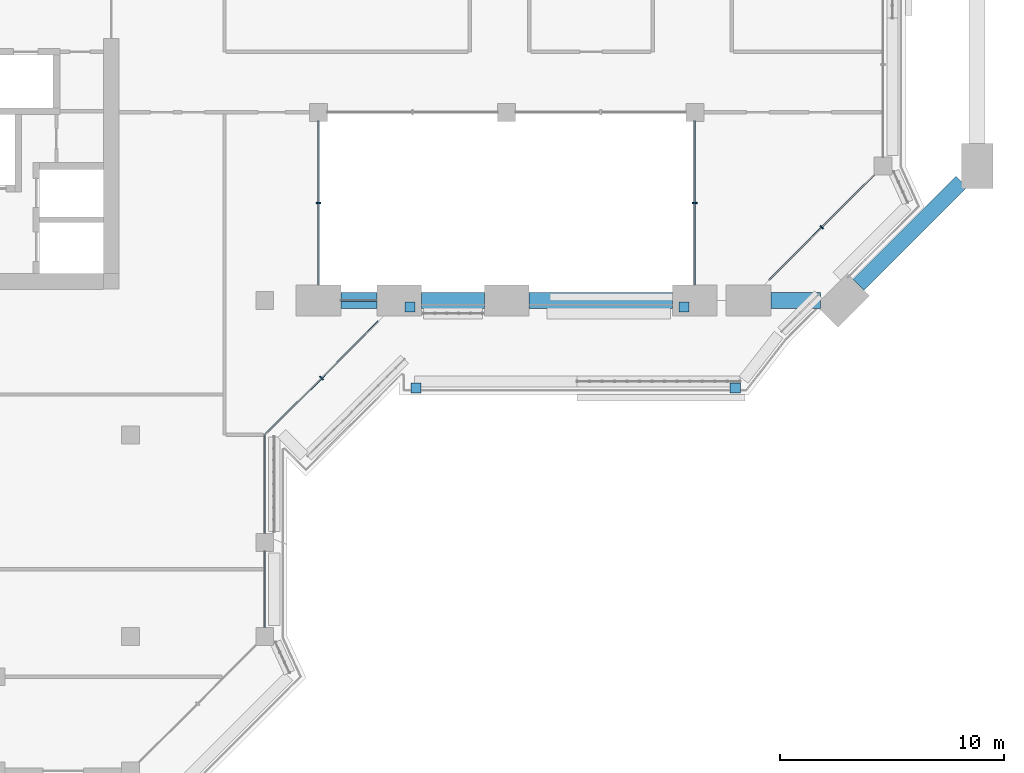
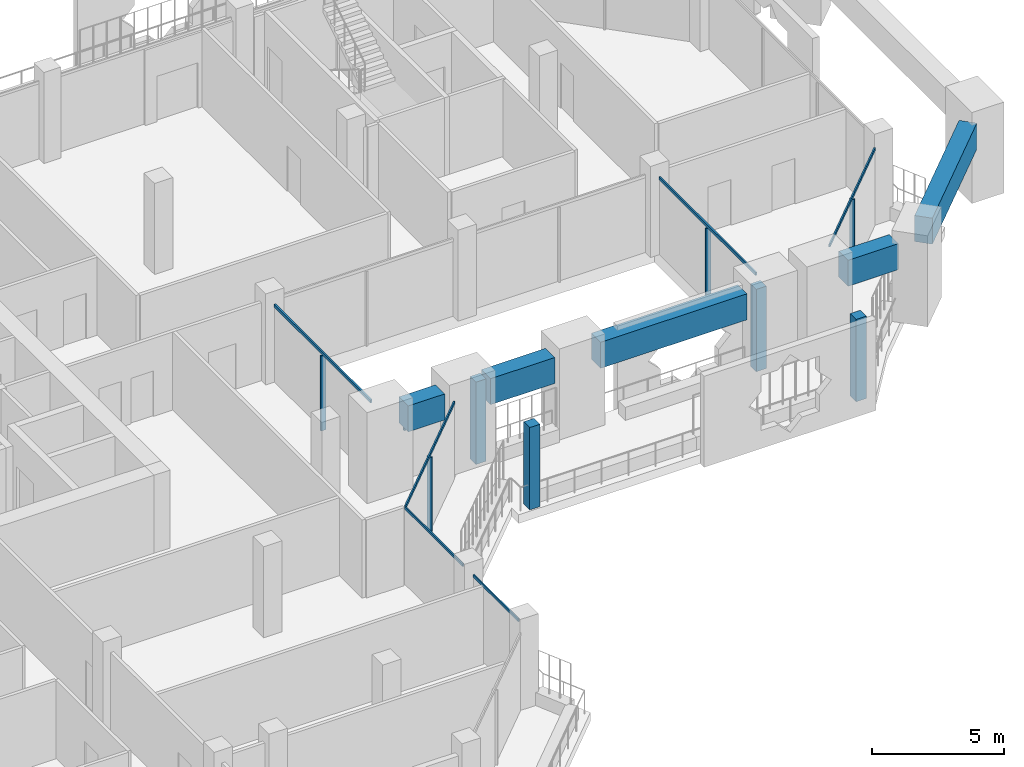
# One storey, part 4 of 22: 15 members, 5 beams, 7 elements without a shape of their own.
"""IFC4 building model written with IfcOpenShell, lengths in metres."""

from ifc_helpers import new_model, si_unit, direction, frame, origin, origin_2d, place, context, subcontext, project, spatial, rectangle, extrude, material, layer, layer_set, material_profile, profile_set, type_object, element, aggregate, save


model = new_model("IFC4")

# Units and contexts
model_context = context("Model", 3, precision=1e-05, world=origin(), true_north=direction((0.0, 1.0)))
body_context = subcontext(model_context, "Body", "Model", "MODEL_VIEW")
ifc_project = project(units=[si_unit("LENGTHUNIT", "METRE"), si_unit("AREAUNIT", "SQUARE_METRE"), si_unit("VOLUMEUNIT", "CUBIC_METRE"), si_unit("PLANEANGLEUNIT", "RADIAN"), si_unit("MASSUNIT", "GRAM", prefix="KILO")], contexts=[model_context])

# Site, building, storey
site_placement = place(None, origin())
site = spatial("IfcSite", under=ifc_project, at=site_placement, CompositionType="ELEMENT")
building_placement = place(site_placement, origin())
building = spatial("IfcBuilding", under=site, at=building_placement, Name="Kawkab Arch Medical Tower", CompositionType="ELEMENT")
storey_placement = place(building_placement, frame((0.0, 0.0, 286.0)))
storey = spatial("IfcBuildingStorey", under=building, at=storey_placement, Name="L66", CompositionType="ELEMENT", Elevation=286.0)

# Curtain wall, members
ifc_material_1 = material(Name="Bronze anodised aluminium curtain wall frame", Category="aluminium")
ifc_layer_1 = layer(ifc_material_1, 0.159912109375)
ifc_layer_set_1 = layer_set([ifc_layer_1], Name="Bronze anodised aluminium curtain wall frame")
curtain_wall_type_1 = type_object("IfcCurtainWallType", Name="CW1 ward curtain wall", PredefinedType="NOTDEFINED", material=ifc_layer_set_1)
placement = place(storey_placement, origin())
curtain_wall_1 = element("IfcCurtainWall", 1, at=placement, inside=storey, type_object=curtain_wall_type_1, Name="CW1 Ward curtain wall R16", PredefinedType="NOTDEFINED")
ifc_material_2 = material(Name="Bronze anodised aluminium curtain wall frame", Category="aluminium")
ifc_material_profile_1 = material_profile(ifc_material_2, rectangle(XDim=0.06005859375, YDim=0.1201171875, at=origin_2d()), Name="AL 60x120")
ifc_profile_set_1 = profile_set([ifc_material_profile_1], Name="Bronze anodised aluminium curtain wall frame")
member_type_1 = type_object("IfcMemberType", Name="CW1 transom 120 x 60", PredefinedType="USERDEFINED", material=ifc_profile_set_1)
member_1_placement = place(storey_placement, frame((31.199951171875, -39.800048828125, 3.5400390625), z_axis=(0.0, 1.0, 0.0), x_axis=(-1.0, 0.0, 0.0)))
member_1 = element("IfcMember", 2, at=member_1_placement, type_object=member_type_1, Name="CW1 transom 1", ObjectType="TRANSOM", PredefinedType="USERDEFINED", context=body_context, shape_type="SweptSolid", body=[
    extrude(rectangle(XDim=0.06005859375, YDim=0.1201171875, at=origin_2d()), origin(), (0.0, 0.0, 1.0), 3.400146484375),
])
member_2_placement = place(storey_placement, frame((31.199951171875, -35.60009765625, 3.5400390625), z_axis=(0.0, 1.0, 0.0), x_axis=(-1.0, 0.0, 0.0)))
member_2 = element("IfcMember", 3, at=member_2_placement, type_object=member_type_1, Name="CW1 transom 2", ObjectType="TRANSOM", PredefinedType="USERDEFINED", context=body_context, shape_type="SweptSolid", body=[
    extrude(rectangle(XDim=0.06005859375, YDim=0.1201171875, at=origin_2d()), origin(), (0.0, 0.0, 1.0), 4.400146484375),
])
aggregate(curtain_wall_1, [member_1, member_2])

# Curtain wall, member
ifc_material_3 = material(Name="Bronze anodised aluminium curtain wall frame", Category="aluminium")
ifc_layer_2 = layer(ifc_material_3, 0.159912109375)
ifc_layer_set_2 = layer_set([ifc_layer_2], Name="Bronze anodised aluminium curtain wall frame")
curtain_wall_type_2 = type_object("IfcCurtainWallType", Name="CW2 chamfer curtain wall", PredefinedType="NOTDEFINED", material=ifc_layer_set_2)
curtain_wall_2 = element("IfcCurtainWall", 4, at=placement, inside=storey, type_object=curtain_wall_type_2, Name="CW2 Chamfer curtain wall R01", PredefinedType="NOTDEFINED")
ifc_material_4 = material(Name="Bronze anodised aluminium curtain wall frame", Category="aluminium")
ifc_material_profile_2 = material_profile(ifc_material_4, rectangle(XDim=0.199951171875, YDim=0.06005859375, at=origin_2d()), Name="AL 60x200")
ifc_profile_set_2 = profile_set([ifc_material_profile_2], Name="Bronze anodised aluminium curtain wall frame")
member_type_2 = type_object("IfcMemberType", Name="CW2 mullion 60 x 200", PredefinedType="MULLION", material=ifc_profile_set_2)
member_3_placement = place(storey_placement, frame((33.73486328125, -28.665283203125, 0.0), z_axis=(0.0, 0.0, 1.0), x_axis=(-0.707106781187, 0.707106781187, 0.0)))
member_3 = element("IfcMember", 5, at=member_3_placement, type_object=member_type_2, Name="CW2 mullion 1.1", PredefinedType="MULLION", context=body_context, shape_type="SweptSolid", body=[
    extrude(rectangle(XDim=0.199951171875, YDim=0.06005859375, at=origin_2d()), origin(), (0.0, 0.0, 1.0), 3.4599609375),
])

curtain_wall_3 = element("IfcCurtainWall", 6, at=placement, inside=storey, type_object=curtain_wall_type_2, Name="CW2 Chamfer curtain wall R07", PredefinedType="NOTDEFINED")
member_4_placement = place(storey_placement, frame((56.065185546875, -21.934814453125, 0.0), z_axis=(0.0, 0.0, 1.0), x_axis=(-0.707106781187, 0.707106781187, 0.0)))
member_4 = element("IfcMember", 7, at=member_4_placement, type_object=member_type_2, Name="CW2 mullion 1.1", PredefinedType="MULLION", context=body_context, shape_type="SweptSolid", body=[
    extrude(rectangle(XDim=0.199951171875, YDim=0.06005859375, at=origin_2d()), origin(), (0.0, 0.0, 1.0), 3.4599609375),
])

# Member
ifc_material_5 = material(Name="Bronze anodised aluminium curtain wall frame", Category="aluminium")
ifc_material_profile_3 = material_profile(ifc_material_5, rectangle(XDim=0.06005859375, YDim=0.139892578125, at=origin_2d()), Name="AL 60x140")
ifc_profile_set_3 = profile_set([ifc_material_profile_3], Name="Bronze anodised aluminium curtain wall frame")
member_type_3 = type_object("IfcMemberType", Name="CW2 transom 140 x 60", PredefinedType="USERDEFINED", material=ifc_profile_set_3)
member_5_placement = place(storey_placement, frame((31.199951171875, -31.199951171875, 3.530029296875), z_axis=(0.707123806981, 0.707089754982, 0.0), x_axis=(-0.707089754982, 0.707123806981, 0.0)))
member_5 = element("IfcMember", 8, at=member_5_placement, type_object=member_type_3, Name="CW2 transom 1", ObjectType="TRANSOM", PredefinedType="USERDEFINED", context=body_context, shape_type="SweptSolid", body=[
    extrude(rectangle(XDim=0.06005859375, YDim=0.139892578125, at=origin_2d()), origin(), (0.0, 0.0, 1.0), 7.169677734375),
])

aggregate(curtain_wall_2, [member_5, member_3])

member_6_placement = place(storey_placement, frame((53.730224609375, -24.269775390625, 3.530029296875), z_axis=(0.707106781187, 0.707106781187, 0.0), x_axis=(-0.707106781187, 0.707106781187, 0.0)))
member_6 = element("IfcMember", 9, at=member_6_placement, type_object=member_type_3, Name="CW2 transom 1", ObjectType="TRANSOM", PredefinedType="USERDEFINED", context=body_context, shape_type="SweptSolid", body=[
    extrude(rectangle(XDim=0.06005859375, YDim=0.139892578125, at=origin_2d()), origin(), (0.0, 0.0, 1.0), 6.60400390625),
])

aggregate(curtain_wall_3, [member_6, member_4])

# Curtain wall, member
ifc_material_6 = material(Name="Bronze anodised aluminium curtain wall frame", Category="aluminium")
ifc_layer_3 = layer(ifc_material_6, 0.159912109375)
ifc_layer_set_3 = layer_set([ifc_layer_3], Name="Bronze anodised aluminium curtain wall frame")
curtain_wall_type_3 = type_object("IfcCurtainWallType", Name="CW3 sky garden curtain wall", PredefinedType="NOTDEFINED", material=ifc_layer_set_3)
curtain_wall_4 = element("IfcCurtainWall", 10, at=placement, inside=storey, type_object=curtain_wall_type_3, Name="CW3 Sky garden curtain wall R03", PredefinedType="NOTDEFINED")
ifc_material_7 = material(Name="Bronze anodised aluminium curtain wall frame", Category="aluminium")
ifc_material_profile_4 = material_profile(ifc_material_7, rectangle(XDim=0.219970703125, YDim=0.070068359375, at=origin_2d()), Name="AL 70x220")
ifc_profile_set_4 = profile_set([ifc_material_profile_4], Name="Bronze anodised aluminium curtain wall frame")
member_type_4 = type_object("IfcMemberType", Name="CW3 mullion 70 x 220", PredefinedType="MULLION", material=ifc_profile_set_4)
member_7_placement = place(storey_placement, frame((33.60009765625, -20.85009765625, 0.0), z_axis=(0.0, 0.0, 1.0), x_axis=(-1.0, 0.0, 0.0)))
member_7 = element("IfcMember", 11, at=member_7_placement, type_object=member_type_4, Name="CW3 mullion 1.1", PredefinedType="MULLION", context=body_context, shape_type="SweptSolid", body=[
    extrude(rectangle(XDim=0.219970703125, YDim=0.070068359375, at=origin_2d()), origin(), (0.0, 0.0, 1.0), 3.4599609375),
])

curtain_wall_5 = element("IfcCurtainWall", 12, at=placement, inside=storey, type_object=curtain_wall_type_3, Name="CW3 Sky garden curtain wall R05", PredefinedType="NOTDEFINED")
member_8_placement = place(storey_placement, frame((50.39990234375, -20.85009765625, 0.0), z_axis=(0.0, 0.0, 1.0), x_axis=(1.0, 0.0, 0.0)))
member_8 = element("IfcMember", 13, at=member_8_placement, type_object=member_type_4, Name="CW3 mullion 1.1", PredefinedType="MULLION", context=body_context, shape_type="SweptSolid", body=[
    extrude(rectangle(XDim=0.219970703125, YDim=0.070068359375, at=origin_2d()), origin(), (0.0, 0.0, 1.0), 3.4599609375),
])

curtain_wall_6 = element("IfcCurtainWall", 14, at=placement, inside=storey, type_object=curtain_wall_type_3, Name="CW3 Sky garden curtain wall R02", PredefinedType="NOTDEFINED")
ifc_material_8 = material(Name="Bronze anodised aluminium curtain wall frame", Category="aluminium")
ifc_material_profile_5 = material_profile(ifc_material_8, rectangle(XDim=0.070068359375, YDim=0.139892578125, at=origin_2d()), Name="AL 70x140")
ifc_profile_set_5 = profile_set([ifc_material_profile_5], Name="Bronze anodised aluminium curtain wall frame")
member_type_5 = type_object("IfcMemberType", Name="CW3 transom 140 x 70", PredefinedType="USERDEFINED", material=ifc_profile_set_5)
member_9_placement = place(storey_placement, frame((36.199951171875, -25.199951171875, 2.330078125), z_axis=(-1.0, 0.0, 0.0), x_axis=(0.0, -1.0, 0.0)))
member_9 = element("IfcMember", 15, at=member_9_placement, type_object=member_type_5, Name="CW3 transom 1", ObjectType="TRANSOM", PredefinedType="USERDEFINED", context=body_context, shape_type="SweptSolid", body=[
    extrude(rectangle(XDim=0.070068359375, YDim=0.139892578125, at=origin_2d()), origin(), (0.0, 0.0, 1.0), 1.599853515625),
])
aggregate(curtain_wall_6, [member_9])

# Member
member_10_placement = place(storey_placement, frame((33.60009765625, -24.5, 3.530029296875), z_axis=(0.0, 1.0, 0.0), x_axis=(-1.0, 0.0, 0.0)))
member_10 = element("IfcMember", 16, at=member_10_placement, type_object=member_type_5, Name="CW3 transom 1", ObjectType="TRANSOM", PredefinedType="USERDEFINED", context=body_context, shape_type="SweptSolid", body=[
    extrude(rectangle(XDim=0.070068359375, YDim=0.139892578125, at=origin_2d()), origin(), (0.0, 0.0, 1.0), 7.300048828125),
])

aggregate(curtain_wall_4, [member_10, member_7])

member_11_placement = place(storey_placement, frame((50.39990234375, -17.199951171875, 3.530029296875), z_axis=(0.0, -1.0, 0.0), x_axis=(1.0, 0.0, 0.0)))
member_11 = element("IfcMember", 17, at=member_11_placement, type_object=member_type_5, Name="CW3 transom 1", ObjectType="TRANSOM", PredefinedType="USERDEFINED", context=body_context, shape_type="SweptSolid", body=[
    extrude(rectangle(XDim=0.070068359375, YDim=0.139892578125, at=origin_2d()), origin(), (0.0, 0.0, 1.0), 7.300048828125),
])

aggregate(curtain_wall_5, [member_11, member_8])

# Curtain wall, members
ifc_material_9 = material(Name="Bronze anodised aluminium climber frame, planted", Category="aluminium")
ifc_layer_4 = layer(ifc_material_9, 0.449951171875)
ifc_layer_set_4 = layer_set([ifc_layer_4], Name="Bronze anodised aluminium climber frame, planted")
curtain_wall_type_4 = type_object("IfcCurtainWallType", Name="Planted climber frame", PredefinedType="NOTDEFINED", material=ifc_layer_set_4)
curtain_wall_7 = element("IfcCurtainWall", 18, at=placement, inside=storey, type_object=curtain_wall_type_4, Name="Planted climber frame L66", PredefinedType="NOTDEFINED")
ifc_material_10 = material(Name="Bronze anodised aluminium climber frame, planted", Category="aluminium")
ifc_material_profile_6 = material_profile(ifc_material_10, rectangle(XDim=0.449951171875, YDim=0.449951171875, at=origin_2d()), Name="Post 450x450")
ifc_profile_set_6 = profile_set([ifc_material_profile_6], Name="Bronze anodised aluminium climber frame, planted")
member_type_6 = type_object("IfcMemberType", Name="Planted climber post 450 x 450", PredefinedType="MULLION", material=ifc_profile_set_6)
member_12_placement = place(storey_placement, frame((37.679931640625, -25.5, 0.0), z_axis=(0.0, 0.0, 1.0), x_axis=(1.0, 0.0, 0.0)))
member_12 = element("IfcMember", 19, at=member_12_placement, type_object=member_type_6, Name="Planted climber post L66.LOG-01-01.1", PredefinedType="MULLION", context=body_context, shape_type="SweptSolid", body=[
    extrude(rectangle(XDim=0.449951171875, YDim=0.449951171875, at=origin_2d()), origin(), (0.0, 0.0, 1.0), 3.800048828125),
])
member_13_placement = place(storey_placement, frame((49.919921875, -25.5, 0.0), z_axis=(0.0, 0.0, 1.0), x_axis=(1.0, 0.0, 0.0)))
member_13 = element("IfcMember", 20, at=member_13_placement, type_object=member_type_6, Name="Planted climber post L66.LOG-01-01.2", PredefinedType="MULLION", context=body_context, shape_type="SweptSolid", body=[
    extrude(rectangle(XDim=0.449951171875, YDim=0.449951171875, at=origin_2d()), origin(), (0.0, 0.0, 1.0), 3.800048828125),
])
member_14_placement = place(storey_placement, frame((52.202880859375, -29.10009765625, 0.0), z_axis=(0.0, 0.0, 1.0), x_axis=(1.0, 0.0, 0.0)))
member_14 = element("IfcMember", 21, at=member_14_placement, type_object=member_type_6, Name="Planted climber post L66.LOG-01-02.3", PredefinedType="MULLION", context=body_context, shape_type="SweptSolid", body=[
    extrude(rectangle(XDim=0.449951171875, YDim=0.449951171875, at=origin_2d()), origin(), (0.0, 0.0, 1.0), 3.800048828125),
])
member_15_placement = place(storey_placement, frame((37.949951171875, -29.10009765625, 0.0), z_axis=(0.0, 0.0, 1.0), x_axis=(1.0, 0.0, 0.0)))
member_15 = element("IfcMember", 22, at=member_15_placement, type_object=member_type_6, Name="Planted climber post L66.LOG-01-02.4", PredefinedType="MULLION", context=body_context, shape_type="SweptSolid", body=[
    extrude(rectangle(XDim=0.449951171875, YDim=0.449951171875, at=origin_2d()), origin(), (0.0, 0.0, 1.0), 3.800048828125),
])
aggregate(curtain_wall_7, [member_12, member_13, member_14, member_15])

# Beams
ifc_material_11 = material(Name="Concrete C40/50", Category="concrete")
ifc_material_profile_7 = material_profile(ifc_material_11, rectangle(XDim=0.699951171875, YDim=1.199951171875, at=origin_2d()), Name="RC 700x1200")
ifc_profile_set_7 = profile_set([ifc_material_profile_7], Name="Concrete C40/50")
beam_type = type_object("IfcBeamType", Name="RC 700x1200 beam C40/50", PredefinedType="BEAM", material=ifc_profile_set_7)
beam_1_placement = place(storey_placement, frame((49.39990234375, -25.199951171875, 3.0), z_axis=(-1.0, 0.0, 0.0), x_axis=(0.0, -1.0, 0.0)))
element("IfcBeam", 23, at=beam_1_placement, inside=storey, type_object=beam_type, Name="Terrace frame beam TF-L64-1-L67-01", PredefinedType="BEAM", context=body_context, shape_type="SweptSolid", body=[
    extrude(rectangle(XDim=0.699951171875, YDim=1.199951171875, at=origin_2d()), origin(), (0.0, 0.0, 1.0), 6.39990234375),
])
beam_2_placement = place(storey_placement, frame((41.0, -25.199951171875, 3.0), z_axis=(-1.0, 0.0, 0.0), x_axis=(0.0, -1.0, 0.0)))
element("IfcBeam", 24, at=beam_2_placement, inside=storey, type_object=beam_type, Name="Terrace frame beam TF-L64-1-L67-02", PredefinedType="BEAM", context=body_context, shape_type="SweptSolid", body=[
    extrude(rectangle(XDim=0.699951171875, YDim=1.199951171875, at=origin_2d()), origin(), (0.0, 0.0, 1.0), 2.800048828125),
])
beam_3_placement = place(storey_placement, frame((36.199951171875, -25.199951171875, 3.0), z_axis=(-1.0, 0.0, 0.0), x_axis=(0.0, -1.0, 0.0)))
element("IfcBeam", 25, at=beam_3_placement, inside=storey, type_object=beam_type, Name="Terrace frame beam TF-L64-1-L67-03", PredefinedType="BEAM", context=body_context, shape_type="SweptSolid", body=[
    extrude(rectangle(XDim=0.699951171875, YDim=1.199951171875, at=origin_2d()), origin(), (0.0, 0.0, 1.0), 1.599853515625),
])
beam_4_placement = place(storey_placement, frame((62.300048828125, -19.89990234375, 3.0), z_axis=(-0.707106781187, -0.707106781187, 0.0), x_axis=(0.707106781187, -0.707106781187, 0.0)))
element("IfcBeam", 26, at=beam_4_placement, inside=storey, type_object=beam_type, Name="Terrace frame beam TF-L64-2-L67-04", PredefinedType="BEAM", context=body_context, shape_type="SweptSolid", body=[
    extrude(rectangle(XDim=0.699951171875, YDim=1.199951171875, at=origin_2d()), origin(), (0.0, 0.0, 1.0), 6.49560546875),
])
beam_5_placement = place(storey_placement, frame((56.010009765625, -25.199951171875, 3.0), z_axis=(-1.0, 0.0, 0.0), x_axis=(0.0, -1.0, 0.0)))
element("IfcBeam", 27, at=beam_5_placement, inside=storey, type_object=beam_type, Name="Terrace frame beam TF-L64-2-L67-05", PredefinedType="BEAM", context=body_context, shape_type="SweptSolid", body=[
    extrude(rectangle(XDim=0.699951171875, YDim=1.199951171875, at=origin_2d()), origin(), (0.0, 0.0, 1.0), 2.2099609375),
])

save(model, "model.ifc")
